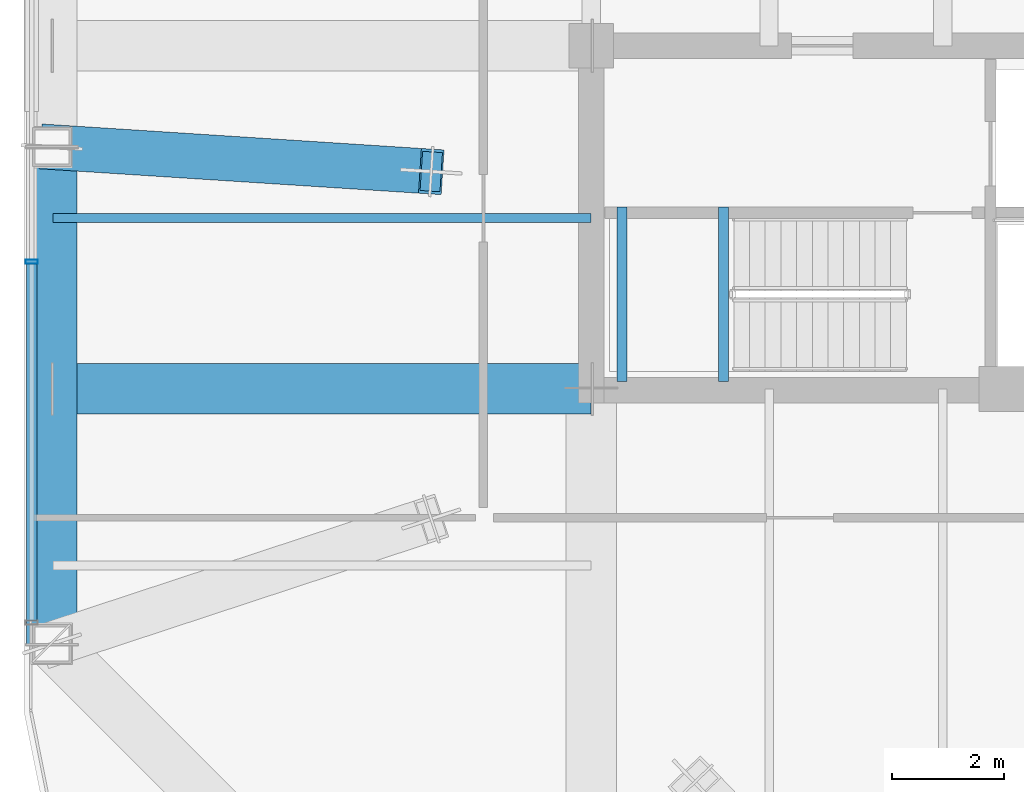
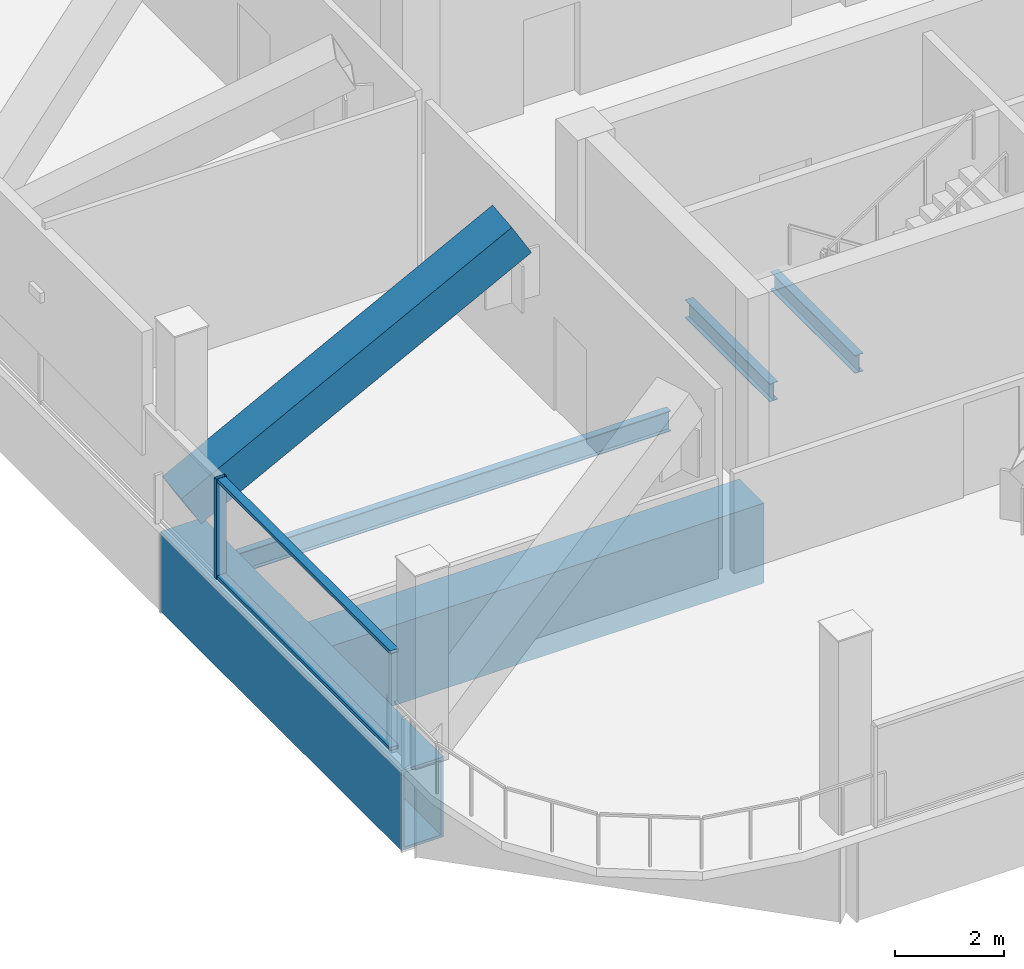
# One storey, part 3 of 19: 5 beams, 4 members, 1 element without a shape of its own.
"""IFC4 building model written with IfcOpenShell, lengths in metres."""

from ifc_helpers import new_model, si_unit, direction, frame, origin, origin_2d, place, context, subcontext, project, spatial, hollow_rectangle, i_section, extrude, material, layer, layer_set, material_profile, profile_set, type_object, element, aggregate, save


model = new_model("IFC4")

# Units and contexts
model_context = context("Model", 3, precision=1e-05, world=origin(), true_north=direction((0.0, 1.0)))
body_context = subcontext(model_context, "Body", "Model", "MODEL_VIEW")
ifc_project = project(units=[si_unit("LENGTHUNIT", "METRE"), si_unit("AREAUNIT", "SQUARE_METRE"), si_unit("VOLUMEUNIT", "CUBIC_METRE"), si_unit("PLANEANGLEUNIT", "RADIAN"), si_unit("MASSUNIT", "GRAM", prefix="KILO")], contexts=[model_context])

# Site, building, storey
site_placement = place(None, origin())
site = spatial("IfcSite", under=ifc_project, at=site_placement, CompositionType="ELEMENT")
building_placement = place(site_placement, origin())
building = spatial("IfcBuilding", under=site, at=building_placement, Name="Qhalaya Broadcast Tower", CompositionType="ELEMENT")
storey_placement = place(building_placement, frame((0.0, 0.0, 226.949951171875)))
storey = spatial("IfcBuildingStorey", under=building, at=storey_placement, Name="L67", CompositionType="ELEMENT", Elevation=226.949951171875)

# Beams
ifc_material_1 = material(Name="Structural Steel ASTM A572 Grade 50", Category="steel")
ifc_material_profile_1 = material_profile(ifc_material_1, hollow_rectangle(XDim=0.89990234375, YDim=1.800048828125, WallThickness=0.06005859375, at=origin_2d()), Name="BOX 900x1800x60")
ifc_profile_set_1 = profile_set([ifc_material_profile_1], Name="Structural Steel ASTM A572 Grade 50")
beam_type_1 = type_object("IfcBeamType", Name="Block Cantilever Transfer Box Girder TG1", PredefinedType="USERDEFINED", material=ifc_profile_set_1)
beam_1_placement = place(storey_placement, frame((-19.0, -4.433349609375, -1.08984375), z_axis=(0.0, -1.0, 0.0), x_axis=(1.0, 0.0, 0.0)))
element("IfcBeam", 1, at=beam_1_placement, inside=storey, type_object=beam_type_1, Name="L67 TG1 L67-SPR-15", ObjectType="GIRDER", PredefinedType="USERDEFINED", context=body_context, shape_type="SweptSolid", body=[
    extrude(hollow_rectangle(XDim=0.89990234375, YDim=1.800048828125, WallThickness=0.06005859375, at=origin_2d()), origin(), (0.0, 0.0, 1.0), 8.86669921875),
])
beam_2_placement = place(storey_placement, frame((-18.97998046875, -8.75, -1.08984375), z_axis=(1.0, 0.0, 0.0), x_axis=(0.0, 1.0, 0.0)))
element("IfcBeam", 2, at=beam_2_placement, inside=storey, type_object=beam_type_1, Name="L67 TG1 L67-PGYW1-1", ObjectType="GIRDER", PredefinedType="USERDEFINED", context=body_context, shape_type="SweptSolid", body=[
    extrude(hollow_rectangle(XDim=0.89990234375, YDim=1.800048828125, WallThickness=0.06005859375, at=origin_2d()), origin(), (0.0, 0.0, 1.0), 9.60498046875),
])
ifc_material_2 = material(Name="Structural Steel ASTM A992 Grade 50", Category="steel")
ifc_material_profile_2 = material_profile(ifc_material_2, i_section(OverallWidth=0.154052734375, OverallDepth=0.458984375, WebThickness=0.009033203125, FlangeThickness=0.015380859375, at=origin_2d()), Name="W18X46")
ifc_profile_set_2 = profile_set([ifc_material_profile_2], Name="Structural Steel ASTM A992 Grade 50")
beam_type_2 = type_object("IfcBeamType", Name="Composite Floor Joist J04", PredefinedType="JOIST", material=ifc_profile_set_2)
beam_3_placement = place(storey_placement, frame((-18.97998046875, -5.699951171875, -0.41943359375), z_axis=(1.0, 0.0, 0.0), x_axis=(0.0, 1.0, 0.0)))
element("IfcBeam", 3, at=beam_3_placement, inside=storey, type_object=beam_type_2, Name="L67 J04 L67-JWE3W-1", PredefinedType="JOIST", context=body_context, shape_type="SweptSolid", body=[
    extrude(i_section(OverallWidth=0.154052734375, OverallDepth=0.458984375, WebThickness=0.009033203125, FlangeThickness=0.015380859375, at=origin_2d()), origin(), (0.0, 0.0, 1.0), 9.60498046875),
])

# Curtain wall, members
ifc_material_3 = material(Name="Fired Architectural Terracotta", Category="masonry")
ifc_layer = layer(ifc_material_3, 0.219970703125, Name="Fired Architectural Terracotta")
ifc_layer_set = layer_set([ifc_layer], Name="Fired Architectural Terracotta")
curtain_wall_type = type_object("IfcCurtainWallType", Name="Block-Cap Unitised Terracotta Spandrel Wall CW-07", PredefinedType="NOTDEFINED", material=ifc_layer_set)
curtain_wall_placement = place(storey_placement, origin())
curtain_wall = element("IfcCurtainWall", 4, at=curtain_wall_placement, inside=storey, type_object=curtain_wall_type, Name="L67 Unitised Curtain Wall L67-CW-W", PredefinedType="NOTDEFINED")
ifc_material_4 = material(Name="Anodised Aluminium 6063-T6", Category="aluminium")
ifc_material_profile_3 = material_profile(ifc_material_4, hollow_rectangle(XDim=0.074951171875, YDim=0.219970703125, WallThickness=0.00390625, at=origin_2d()), Name="ALU-MUL 75x220x4")
ifc_profile_set_3 = profile_set([ifc_material_profile_3], Name="Anodised Aluminium 6063-T6")
member_type_1 = type_object("IfcMemberType", Name="Unitised Curtain-Wall Mullion M01", PredefinedType="MULLION", material=ifc_profile_set_3)
member_1_placement = place(storey_placement, frame((-19.360107421875, -6.48095703125, 0.0), z_axis=(0.0, 0.0, 1.0), x_axis=(0.0, 1.0, 0.0)))
member_1 = element("IfcMember", 5, at=member_1_placement, type_object=member_type_1, Name="CW-07 mullion 2", PredefinedType="MULLION", context=body_context, shape_type="SweptSolid", body=[
    extrude(hollow_rectangle(XDim=0.074951171875, YDim=0.219970703125, WallThickness=0.00390625, at=origin_2d()), origin(), (0.0, 0.0, 1.0), 2.25),
])
ifc_material_profile_4 = material_profile(ifc_material_4, hollow_rectangle(XDim=0.074951171875, YDim=0.179931640625, WallThickness=0.00390625, at=origin_2d()), Name="ALU-TRN 75x180x4")
ifc_profile_set_4 = profile_set([ifc_material_profile_4], Name="Anodised Aluminium 6063-T6")
member_type_2 = type_object("IfcMemberType", Name="Unitised Curtain-Wall Transom T01", PredefinedType="USERDEFINED", material=ifc_profile_set_4)
member_2_placement = place(storey_placement, frame((-19.360107421875, -12.886962890625, 0.03759765625), z_axis=(0.0, 1.0, 0.0), x_axis=(0.0, 0.0, 1.0)))
member_2 = element("IfcMember", 6, at=member_2_placement, type_object=member_type_2, Name="CW-07 transom 1.1", ObjectType="TRANSOM", PredefinedType="USERDEFINED", context=body_context, shape_type="SweptSolid", body=[
    extrude(hollow_rectangle(XDim=0.074951171875, YDim=0.179931640625, WallThickness=0.00390625, at=origin_2d()), origin(), (0.0, 0.0, 1.0), 6.368408203125),
])
member_3_placement = place(storey_placement, frame((-19.360107421875, -12.886962890625, 2.212646484375), z_axis=(0.0, 1.0, 0.0), x_axis=(0.0, 0.0, 1.0)))
member_3 = element("IfcMember", 7, at=member_3_placement, type_object=member_type_2, Name="CW-07 transom 1.2", ObjectType="TRANSOM", PredefinedType="USERDEFINED", context=body_context, shape_type="SweptSolid", body=[
    extrude(hollow_rectangle(XDim=0.074951171875, YDim=0.179931640625, WallThickness=0.00390625, at=origin_2d()), origin(), (0.0, 0.0, 1.0), 6.368408203125),
])
aggregate(curtain_wall, [member_1, member_2, member_3])

# Member
ifc_material_profile_5 = material_profile(ifc_material_1, hollow_rectangle(XDim=0.800048828125, YDim=0.800048828125, WallThickness=0.050048828125, at=origin_2d()), Name="BOX 800x800x50")
ifc_profile_set_5 = profile_set([ifc_material_profile_5], Name="Structural Steel ASTM A572 Grade 50")
member_type_3 = type_object("IfcMemberType", Name="Upper Exoskeleton Transfer Strut RK2", PredefinedType="BRACE", material=ifc_profile_set_5)
member_4_placement = place(storey_placement, frame((-19.0, -4.433349609375, 0.354736328125), z_axis=(0.859884586396, -0.055475424633, 0.507465245451), x_axis=(0.064381121932, 0.997925383553, 0.0)))
element("IfcMember", 8, at=member_4_placement, inside=storey, type_object=member_type_3, Name="L67 Inclined Exoskeleton Transfer Strut 15", PredefinedType="BRACE", context=body_context, shape_type="SweptSolid", body=[
    extrude(hollow_rectangle(XDim=0.800048828125, YDim=0.800048828125, WallThickness=0.050048828125, at=origin_2d()), origin(), (0.0, 0.0, 1.0), 7.873291015625),
])

# Beams
ifc_material_profile_6 = material_profile(ifc_material_2, i_section(OverallWidth=0.177978515625, OverallDepth=0.406005859375, WebThickness=0.0078125, FlangeThickness=0.0126953125, at=origin_2d()), Name="W16X40")
ifc_profile_set_6 = profile_set([ifc_material_profile_6], Name="Structural Steel ASTM A992 Grade 50")
beam_type_3 = type_object("IfcBeamType", Name="Upper Perimeter Spandrel Beam SP2", PredefinedType="SPANDREL", material=ifc_profile_set_6)
for number, where, z_axis, x_axis, name in (
    (9, (-8.830078125, -8.6201171875, 1.77197265625), (0.0, 1.0, 0.0), (-1.0, 0.0, 0.0), "L67 ST-2 Half-Landing Bearer Beam 1"),
    (10, (-7.014892578125, -8.6201171875, 1.77197265625), (0.0, 1.0, 0.0), (-1.0, 0.0, 0.0), "L67 ST-2 Half-Landing Bearer Beam 2"),
):
    element("IfcBeam", number, at=place(storey_placement, frame(where, z_axis=z_axis, x_axis=x_axis)), inside=storey, type_object=beam_type_3, Name=name, PredefinedType="SPANDREL", context=body_context, shape_type="SweptSolid", body=[
        extrude(i_section(OverallWidth=0.177978515625, OverallDepth=0.406005859375, WebThickness=0.0078125, FlangeThickness=0.0126953125, at=origin_2d()), origin(), (0.0, 0.0, 1.0), 3.1201171875),
    ])

save(model, "model.ifc")
